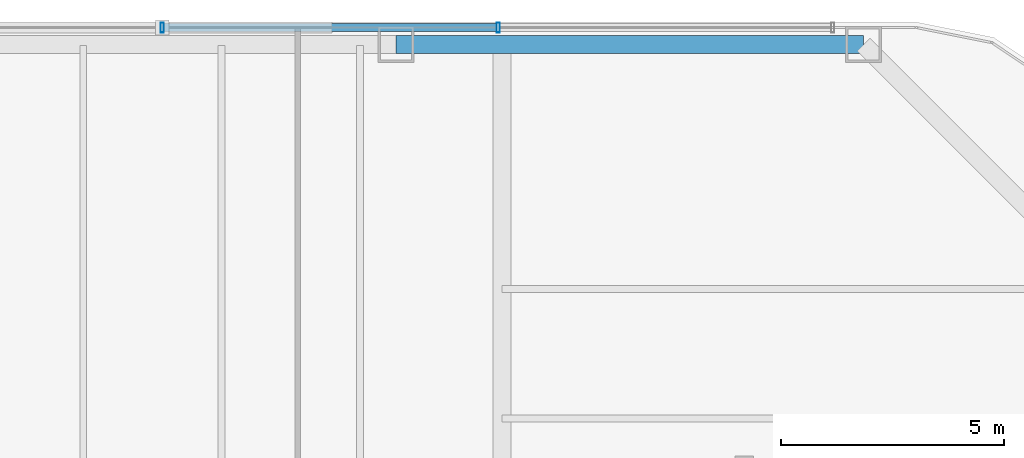
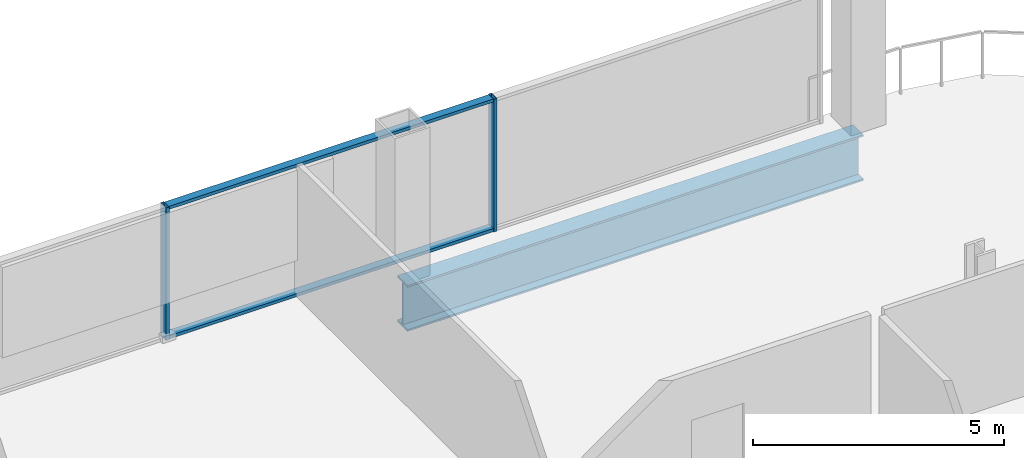
# One storey, part 17 of 24: 4 members, 1 beam, 1 element without a shape of its own.
"""IFC4 building model written with IfcOpenShell, lengths in metres."""

from ifc_helpers import new_model, si_unit, direction, frame, origin, origin_2d, place, context, subcontext, project, spatial, hollow_rectangle, i_section, extrude, material, layer, layer_set, material_profile, profile_set, type_object, element, aggregate, save


model = new_model("IFC4")

# Units and contexts
model_context = context("Model", 3, precision=1e-05, world=origin(), true_north=direction((0.0, 1.0)))
body_context = subcontext(model_context, "Body", "Model", "MODEL_VIEW")
ifc_project = project(units=[si_unit("LENGTHUNIT", "METRE"), si_unit("AREAUNIT", "SQUARE_METRE"), si_unit("VOLUMEUNIT", "CUBIC_METRE"), si_unit("PLANEANGLEUNIT", "RADIAN"), si_unit("MASSUNIT", "GRAM", prefix="KILO")], contexts=[model_context])

# Site, building, storey
site_placement = place(None, origin())
site = spatial("IfcSite", under=ifc_project, at=site_placement, CompositionType="ELEMENT")
building_placement = place(site_placement, origin())
building = spatial("IfcBuilding", under=site, at=building_placement, Name="Qhalaya Broadcast Tower", CompositionType="ELEMENT")
storey_placement = place(building_placement, frame((0.0, 0.0, 61.5)))
storey = spatial("IfcBuildingStorey", under=building, at=storey_placement, Name="L17", CompositionType="ELEMENT", Elevation=61.5)

# Beam
ifc_material_1 = material(Name="Structural Steel ASTM A992 Grade 50", Category="steel")
ifc_material_profile_1 = material_profile(ifc_material_1, i_section(OverallWidth=0.404052734375, OverallDepth=1.117919921875, WebThickness=0.026123046875, FlangeThickness=0.044921875, at=origin_2d()), Name="W44X335")
ifc_profile_set_1 = profile_set([ifc_material_profile_1], Name="Structural Steel ASTM A992 Grade 50")
beam_type = type_object("IfcBeamType", Name="Podium Long-Span Primary Girder PG1", PredefinedType="USERDEFINED", material=ifc_profile_set_1)
beam_placement = place(storey_placement, frame((17.469970703125, 22.669921875, -0.779052734375), z_axis=(-1.0, 0.0, 0.0), x_axis=(0.0, -1.0, 0.0)))
element("IfcBeam", 1, at=beam_placement, inside=storey, type_object=beam_type, Name="L17 PG1 L17-SPR-09", ObjectType="GIRDER", PredefinedType="USERDEFINED", context=body_context, shape_type="SweptSolid", body=[
    extrude(i_section(OverallWidth=0.404052734375, OverallDepth=1.117919921875, WebThickness=0.026123046875, FlangeThickness=0.044921875, at=origin_2d()), origin(), (0.0, 0.0, 1.0), 10.466552734375),
])

# Curtain wall, members
ifc_material_2 = material(Name="Solar-Control Low-E Triple Glazing", Category="glass")
ifc_layer = layer(ifc_material_2, 0.219970703125, Name="Solar-Control Low-E Triple Glazing")
ifc_layer_set = layer_set([ifc_layer], Name="Solar-Control Low-E Triple Glazing")
curtain_wall_type = type_object("IfcCurtainWallType", Name="Recessed Sky-Garden Neck Ribbon Curtain Wall CW-05", PredefinedType="NOTDEFINED", material=ifc_layer_set)
curtain_wall_placement = place(storey_placement, origin())
curtain_wall = element("IfcCurtainWall", 2, at=curtain_wall_placement, inside=storey, type_object=curtain_wall_type, Name="L17 Unitised Curtain Wall L17-CW-N", PredefinedType="NOTDEFINED")
ifc_material_3 = material(Name="Anodised Aluminium 6063-T6", Category="aluminium")
ifc_material_profile_2 = material_profile(ifc_material_3, hollow_rectangle(XDim=0.074951171875, YDim=0.219970703125, WallThickness=0.00390625, at=origin_2d()), Name="ALU-MUL 75x220x4")
ifc_profile_set_2 = profile_set([ifc_material_profile_2], Name="Anodised Aluminium 6063-T6")
member_type_1 = type_object("IfcMemberType", Name="Unitised Curtain-Wall Mullion M01", PredefinedType="MULLION", material=ifc_profile_set_2)
member_1_placement = place(storey_placement, frame((9.294921875, 23.050048828125, 0.0), z_axis=(0.0, 0.0, 1.0), x_axis=(-1.0, 0.0, 0.0)))
member_1 = element("IfcMember", 3, at=member_1_placement, type_object=member_type_1, Name="CW-05 mullion 2", PredefinedType="MULLION", context=body_context, shape_type="SweptSolid", body=[
    extrude(hollow_rectangle(XDim=0.074951171875, YDim=0.219970703125, WallThickness=0.00390625, at=origin_2d()), origin(), (0.0, 0.0, 1.0), 3.219970703125),
])
member_2_placement = place(storey_placement, frame((1.77001953125, 23.050048828125, 0.0), z_axis=(0.0, 0.0, 1.0), x_axis=(-1.0, 0.0, 0.0)))
member_2 = element("IfcMember", 4, at=member_2_placement, type_object=member_type_1, Name="CW-05 mullion 3", PredefinedType="MULLION", context=body_context, shape_type="SweptSolid", body=[
    extrude(hollow_rectangle(XDim=0.074951171875, YDim=0.219970703125, WallThickness=0.00390625, at=origin_2d()), origin(), (0.0, 0.0, 1.0), 3.219970703125),
])
ifc_material_profile_3 = material_profile(ifc_material_3, hollow_rectangle(XDim=0.074951171875, YDim=0.179931640625, WallThickness=0.00390625, at=origin_2d()), Name="ALU-TRN 75x180x4")
ifc_profile_set_3 = profile_set([ifc_material_profile_3], Name="Anodised Aluminium 6063-T6")
member_type_2 = type_object("IfcMemberType", Name="Unitised Curtain-Wall Transom T01", PredefinedType="USERDEFINED", material=ifc_profile_set_3)
member_3_placement = place(storey_placement, frame((9.257568359375, 23.050048828125, 0.03759765625), z_axis=(-1.0, 0.0, 0.0), x_axis=(0.0, 0.0, 1.0)))
member_3 = element("IfcMember", 5, at=member_3_placement, type_object=member_type_2, Name="CW-05 transom 2.1", ObjectType="TRANSOM", PredefinedType="USERDEFINED", context=body_context, shape_type="SweptSolid", body=[
    extrude(hollow_rectangle(XDim=0.074951171875, YDim=0.179931640625, WallThickness=0.00390625, at=origin_2d()), origin(), (0.0, 0.0, 1.0), 7.449951171875),
])
member_4_placement = place(storey_placement, frame((9.257568359375, 23.050048828125, 3.1826171875), z_axis=(-1.0, 0.0, 0.0), x_axis=(0.0, 0.0, 1.0)))
member_4 = element("IfcMember", 6, at=member_4_placement, type_object=member_type_2, Name="CW-05 transom 2.2", ObjectType="TRANSOM", PredefinedType="USERDEFINED", context=body_context, shape_type="SweptSolid", body=[
    extrude(hollow_rectangle(XDim=0.074951171875, YDim=0.179931640625, WallThickness=0.00390625, at=origin_2d()), origin(), (0.0, 0.0, 1.0), 7.449951171875),
])
aggregate(curtain_wall, [member_1, member_2, member_3, member_4])

save(model, "model.ifc")
